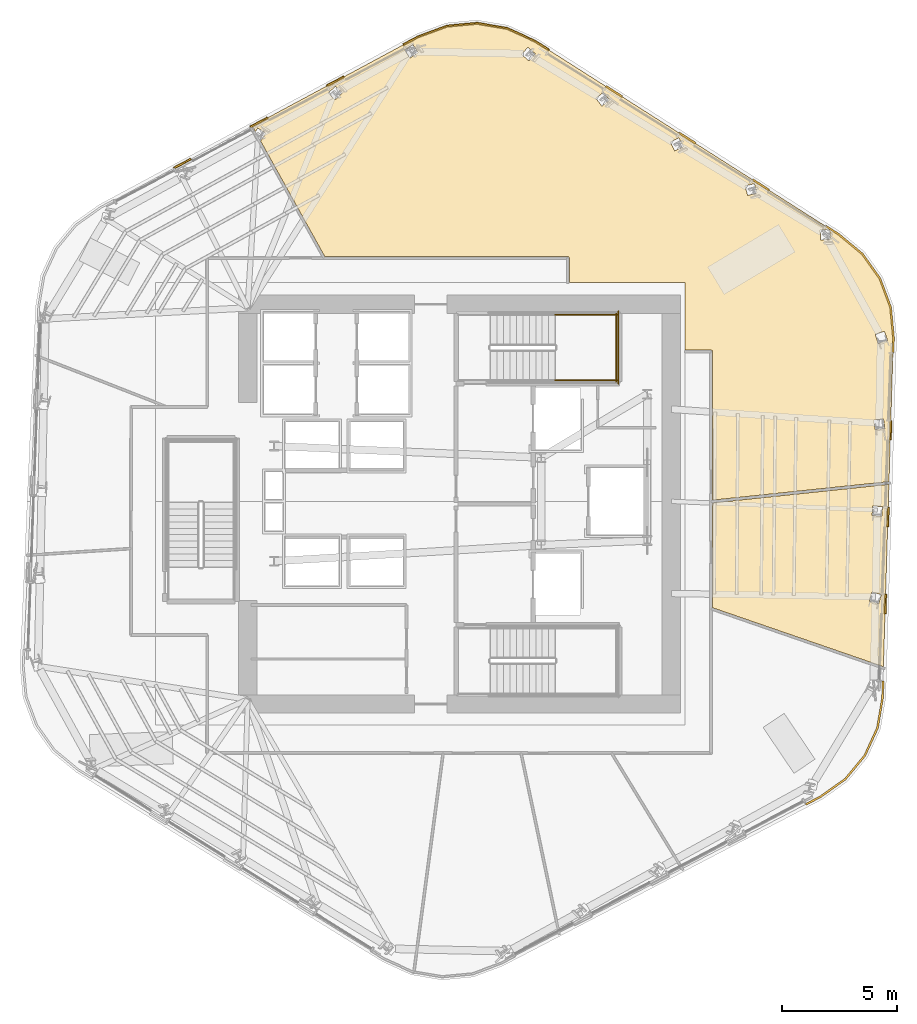
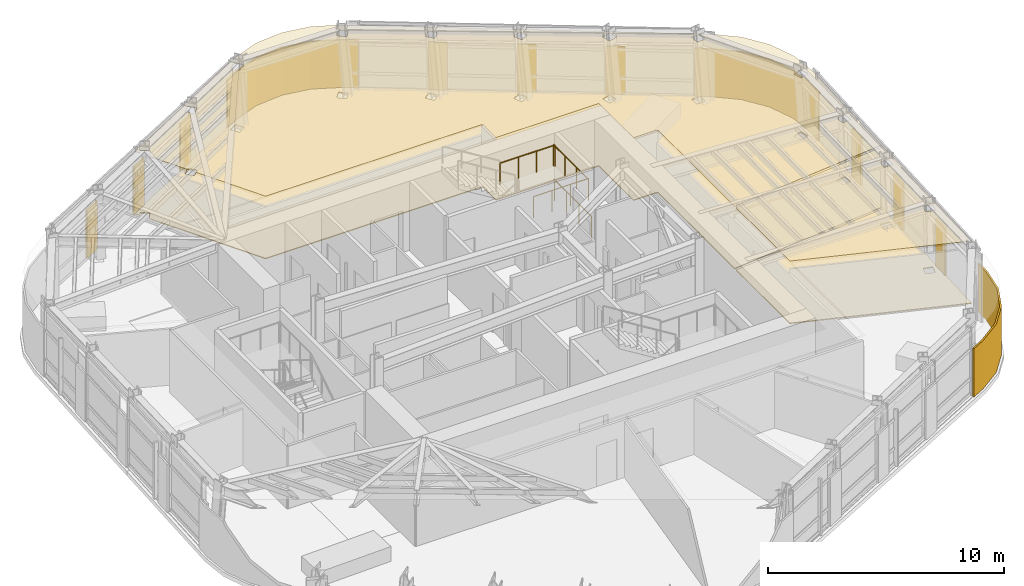
# One storey, part 13 of 14: 16 coverings, 4 railings.
"""IFC4 building model written with IfcOpenShell, lengths in metres."""

from ifc_helpers import new_model, si_unit, direction, frame, origin, origin_2d, place, context, subcontext, project, spatial, polyline, circle, outline, extrude, material, layer, layer_set, type_object, element, save


model = new_model("IFC4")

# Units and contexts
model_context = context("Model", 3, precision=1e-05, world=origin(), true_north=direction((0.0, 1.0)))
body_context = subcontext(model_context, "Body", "Model", "MODEL_VIEW")
ifc_project = project(units=[si_unit("LENGTHUNIT", "METRE"), si_unit("AREAUNIT", "SQUARE_METRE"), si_unit("VOLUMEUNIT", "CUBIC_METRE"), si_unit("PLANEANGLEUNIT", "RADIAN"), si_unit("MASSUNIT", "GRAM", prefix="KILO")], contexts=[model_context])

# Site, building, storey
site_placement = place(None, origin())
site = spatial("IfcSite", under=ifc_project, at=site_placement, CompositionType="ELEMENT")
building_placement = place(site_placement, origin())
building = spatial("IfcBuilding", under=site, at=building_placement, Name="Valkerne Bourse Tower", CompositionType="ELEMENT")
storey_placement = place(building_placement, frame((0.0, 0.0, 143.800048828125)))
storey = spatial("IfcBuildingStorey", under=building, at=storey_placement, Name="L36", CompositionType="ELEMENT", Elevation=143.800048828125)

# Coverings
ifc_material_1 = material(Name="Mineral Fiber Acoustic Ceiling Tile", Category="acoustic")
ifc_layer_1 = layer(ifc_material_1, 0.02490234375)
ifc_layer_set_1 = layer_set([ifc_layer_1], Name="Mineral Fiber Acoustic Ceiling Tile")
covering_type_1 = type_object("IfcCoveringType", Name="COV-CEIL-ACT", PredefinedType="CEILING", material=ifc_layer_set_1)
covering_1_placement = place(storey_placement, frame((0.0, 0.0, 3.22998046875)))
element("IfcCovering", 1, at=covering_1_placement, inside=storey, type_object=covering_type_1, Name="L36 Suspended Ceiling 07", PredefinedType="CEILING", context=body_context, shape_type="SweptSolid", body=[
    extrude(outline(polyline([(57.7890625, 26.933349609375), (65.44287109375, 27.73828125), (65.203857421875, 19.821533203125), (57.7890625, 22.379150390625), (57.7890625, 26.933349609375)]), holes=[polyline([(65.110595703125, 22.952392578125), (64.701416015625, 23.06591796875), (64.591064453125, 22.667724609375), (64.59033203125, 22.6650390625), (64.99951171875, 22.5517578125), (65.110107421875, 22.949951171875), (65.110595703125, 22.952392578125)]), polyline([(65.16357421875, 26.76953125), (65.16357421875, 26.772216796875), (64.739990234375, 26.800048828125), (64.712646484375, 26.3876953125), (64.712646484375, 26.385009765625), (65.13623046875, 26.357421875), (65.16357421875, 26.76953125)])]), origin(), (0.0, 0.0, 1.0), 0.02490234375),
])
covering_2_placement = place(storey_placement, frame((0.0, 0.0, 3.22998046875)))
element("IfcCovering", 2, at=covering_2_placement, inside=storey, type_object=covering_type_1, Name="L36 Suspended Ceiling 11", PredefinedType="CEILING", context=body_context, shape_type="SweptSolid", body=[
    extrude(outline(polyline([(47.56103515625, 47.753173828125), (48.862060546875, 47.532958984375), (50.070068359375, 46.97998046875), (63.26123046875, 38.5859375), (64.28564453125, 37.738525390625), (65.050048828125, 36.662841796875), (65.510009765625, 35.426025390625), (65.635009765625, 34.1025390625), (65.446533203125, 27.857421875), (57.7890625, 27.052001953125), (57.788330078125, 33.510009765625), (57.76611328125, 33.551513671875), (57.723388671875, 33.56884765625), (56.60009765625, 33.569091796875), (56.60009765625, 36.5), (51.569091796875, 36.5), (51.56884765625, 37.564697265625), (51.547119140625, 37.61083984375), (51.50439453125, 37.62890625), (40.94970703125, 37.62890625), (38.162841796875, 42.64453125), (38.386474609375, 42.98046875), (38.042236328125, 43.210693359375), (38.0400390625, 43.20947265625), (37.935791015625, 43.052978515625), (37.802001953125, 43.293701171875), (45.001953125, 47.165771484375), (46.247314453125, 47.62890625), (47.56103515625, 47.753173828125)]), holes=[polyline([(53.30712890625, 44.418212890625), (53.047119140625, 44.75244140625), (53.04443359375, 44.75341796875), (52.718505859375, 44.498291015625), (52.978759765625, 44.163818359375), (52.981201171875, 44.1630859375), (53.30712890625, 44.418212890625)]), polyline([(41.70166015625, 44.72900390625), (41.41162109375, 45.024658203125), (41.4091796875, 45.02392578125), (41.107421875, 44.7265625), (41.397216796875, 44.430908203125), (41.39990234375, 44.431640625), (41.70166015625, 44.72900390625)]), polyline([(49.77001953125, 46.71435546875), (49.76708984375, 46.71484375), (49.4951171875, 46.40283203125), (49.8134765625, 46.12353515625), (49.81640625, 46.123046875), (50.08837890625, 46.43505859375), (49.77001953125, 46.71435546875)]), polyline([(45.005126953125, 46.482421875), (44.77587890625, 46.8271484375), (44.773193359375, 46.826904296875), (44.4208984375, 46.591552734375), (44.650146484375, 46.24658203125), (44.653076171875, 46.246826171875), (45.005126953125, 46.482421875)]), polyline([(65.264892578125, 30.172119140625), (65.20751953125, 30.581298828125), (65.206787109375, 30.583984375), (64.786376953125, 30.52490234375), (64.84375, 30.11572265625), (64.84423828125, 30.11328125), (65.264892578125, 30.172119140625)]), polyline([(65.381103515625, 33.990234375), (65.248046875, 34.381103515625), (65.2470703125, 34.3837890625), (64.84521484375, 34.246826171875), (64.978271484375, 33.85595703125), (64.979248046875, 33.853271484375), (65.381103515625, 33.990234375)]), polyline([(62.896728515625, 38.376953125), (62.8701171875, 38.799560546875), (62.868408203125, 38.802001953125), (62.455322265625, 38.774658203125), (62.48193359375, 38.351806640625), (62.483642578125, 38.349609375), (62.896728515625, 38.376953125)]), polyline([(59.603515625, 40.79296875), (59.6015625, 40.794921875), (59.200927734375, 40.690673828125), (59.306396484375, 40.2802734375), (59.308349609375, 40.2783203125), (59.708984375, 40.382568359375), (59.603515625, 40.79296875)]), polyline([(56.513916015625, 42.398193359375), (56.3271484375, 42.778564453125), (56.324951171875, 42.780029296875), (55.953857421875, 42.596435546875), (56.140625, 42.21630859375), (56.142822265625, 42.21484375), (56.513916015625, 42.398193359375)])]), origin(), (0.0, 0.0, 1.0), 0.02490234375),
])
ifc_material_2 = material(Name="Bronze Anodised Aluminium AA 6063-T6", Category="aluminium")
ifc_layer_2 = layer(ifc_material_2, 0.06005859375)
ifc_layer_set_2 = layer_set([ifc_layer_2], Name="Bronze Anodised Aluminium AA 6063-T6")
covering_type_2 = type_object("IfcCoveringType", Name="COV-CRN-ALUM", PredefinedType="CLADDING", material=ifc_layer_set_2)
covering_3_placement = place(storey_placement, origin())
element("IfcCovering", 3, at=covering_3_placement, inside=storey, type_object=covering_type_2, Name="L36 Wind-Shaped Corner Aluminium Cladding 01", PredefinedType="CLADDING", context=body_context, shape_type="SweptSolid", body=[
    extrude(outline(polyline([(64.98388671875, 17.151123046875), (64.4296875, 15.94091796875), (63.581298828125, 14.915283203125), (62.4912109375, 14.140380859375), (61.845703125, 13.803955078125), (61.80810546875, 13.874755859375), (62.44921875, 14.208740234375), (63.5263671875, 14.974365234375), (64.361328125, 15.98388671875), (64.90673828125, 17.1748046875), (65.127197265625, 18.477783203125), (65.14892578125, 19.200439453125), (65.22900390625, 19.197509765625), (65.20703125, 18.469970703125), (64.98388671875, 17.151123046875)])), origin(), (0.0, 0.0, 1.0), 2.5),
])
covering_4_placement = place(storey_placement, origin())
element("IfcCovering", 4, at=covering_4_placement, inside=storey, type_object=covering_type_2, Name="L36 Wind-Shaped Corner Aluminium Cladding 14", PredefinedType="CLADDING", context=body_context, shape_type="SweptSolid", body=[
    extrude(outline(polyline([(35.11865234375, 41.90087890625), (35.15625, 41.830078125), (34.416259765625, 41.43212890625), (34.37890625, 41.5029296875), (35.11865234375, 41.90087890625)])), origin(), (0.0, 0.0, 1.0), 2.5),
])
covering_5_placement = place(storey_placement, origin())
element("IfcCovering", 5, at=covering_5_placement, inside=storey, type_object=covering_type_2, Name="L36 Wind-Shaped Corner Aluminium Cladding 15", PredefinedType="CLADDING", context=body_context, shape_type="SweptSolid", body=[
    extrude(outline(polyline([(38.43994140625, 43.68701171875), (38.477294921875, 43.6162109375), (37.737548828125, 43.21826171875), (37.7001953125, 43.2890625), (38.43994140625, 43.68701171875)])), origin(), (0.0, 0.0, 1.0), 2.5),
])
covering_6_placement = place(storey_placement, origin())
element("IfcCovering", 6, at=covering_6_placement, inside=storey, type_object=covering_type_2, Name="L36 Wind-Shaped Corner Aluminium Cladding 16", PredefinedType="CLADDING", context=body_context, shape_type="SweptSolid", body=[
    extrude(outline(polyline([(41.76123046875, 45.472900390625), (41.798583984375, 45.40234375), (41.058837890625, 45.00439453125), (41.021484375, 45.0751953125), (41.76123046875, 45.472900390625)])), origin(), (0.0, 0.0, 1.0), 2.5),
])
covering_7_placement = place(storey_placement, origin())
element("IfcCovering", 7, at=covering_7_placement, inside=storey, type_object=covering_type_2, Name="L36 Wind-Shaped Corner Aluminium Cladding 17", PredefinedType="CLADDING", context=body_context, shape_type="SweptSolid", body=[
    extrude(outline(polyline([(44.98388671875, 47.2060546875), (46.2373046875, 47.672119140625), (47.5625, 47.79736328125), (48.875, 47.575439453125), (50.091064453125, 47.0185546875), (50.705322265625, 46.627685546875), (50.662841796875, 46.56005859375), (50.052734375, 46.9482421875), (48.851318359375, 47.498291015625), (47.5595703125, 47.716796875), (46.25537109375, 47.593505859375), (45.016845703125, 47.1328125), (44.380126953125, 46.79052734375), (44.3427734375, 46.861083984375), (44.98388671875, 47.2060546875)])), origin(), (0.0, 0.0, 1.0), 2.5),
])
covering_8_placement = place(storey_placement, origin())
element("IfcCovering", 8, at=covering_8_placement, inside=storey, type_object=covering_type_2, Name="L36 Wind-Shaped Corner Aluminium Cladding 18", PredefinedType="CLADDING", context=body_context, shape_type="SweptSolid", body=[
    extrude(outline(polyline([(53.886962890625, 44.603271484375), (53.844482421875, 44.535400390625), (53.135498046875, 44.986572265625), (53.177978515625, 45.05419921875), (53.886962890625, 44.603271484375)])), origin(), (0.0, 0.0, 1.0), 2.5),
])
covering_9_placement = place(storey_placement, origin())
element("IfcCovering", 9, at=covering_9_placement, inside=storey, type_object=covering_type_2, Name="L36 Wind-Shaped Corner Aluminium Cladding 19", PredefinedType="CLADDING", context=body_context, shape_type="SweptSolid", body=[
    extrude(outline(polyline([(57.068359375, 42.578857421875), (57.02587890625, 42.510986328125), (56.317138671875, 42.9619140625), (56.359619140625, 43.02978515625), (57.068359375, 42.578857421875)])), origin(), (0.0, 0.0, 1.0), 2.5),
])
covering_10_placement = place(storey_placement, origin())
element("IfcCovering", 10, at=covering_10_placement, inside=storey, type_object=covering_type_2, Name="L36 Wind-Shaped Corner Aluminium Cladding 20", PredefinedType="CLADDING", context=body_context, shape_type="SweptSolid", body=[
    extrude(outline(polyline([(60.25, 40.55419921875), (60.20751953125, 40.486572265625), (59.498779296875, 40.9375), (59.541259765625, 41.00537109375), (60.25, 40.55419921875)])), origin(), (0.0, 0.0, 1.0), 2.5),
])
covering_11_placement = place(storey_placement, origin())
element("IfcCovering", 11, at=covering_11_placement, inside=storey, type_object=covering_type_2, Name="L36 Wind-Shaped Corner Aluminium Cladding 21", PredefinedType="CLADDING", context=body_context, shape_type="SweptSolid", body=[
    extrude(outline(polyline([(63.287109375, 38.62158203125), (64.318115234375, 37.768798828125), (65.08935546875, 36.68359375), (65.55322265625, 35.43603515625), (65.67919921875, 34.10400390625), (65.658935546875, 33.435302734375), (65.5791015625, 33.438232421875), (65.59912109375, 34.101318359375), (65.474609375, 35.41796875), (65.01806640625, 36.64599609375), (64.259033203125, 37.7138671875), (63.239990234375, 38.556884765625), (62.680419921875, 38.9130859375), (62.722900390625, 38.980712890625), (63.287109375, 38.62158203125)])), origin(), (0.0, 0.0, 1.0), 2.5),
])
covering_12_placement = place(storey_placement, origin())
element("IfcCovering", 12, at=covering_12_placement, inside=storey, type_object=covering_type_2, Name="L36 Wind-Shaped Corner Aluminium Cladding 22", PredefinedType="CLADDING", context=body_context, shape_type="SweptSolid", body=[
    extrude(outline(polyline([(65.545166015625, 29.665771484375), (65.465087890625, 29.668701171875), (65.490478515625, 30.508544921875), (65.570556640625, 30.505615234375), (65.545166015625, 29.665771484375)])), origin(), (0.0, 0.0, 1.0), 2.5),
])
covering_13_placement = place(storey_placement, origin())
element("IfcCovering", 13, at=covering_13_placement, inside=storey, type_object=covering_type_2, Name="L36 Wind-Shaped Corner Aluminium Cladding 23", PredefinedType="CLADDING", context=body_context, shape_type="SweptSolid", body=[
    extrude(outline(polyline([(65.431396484375, 25.896484375), (65.351318359375, 25.8994140625), (65.376708984375, 26.7392578125), (65.45654296875, 26.736328125), (65.431396484375, 25.896484375)])), origin(), (0.0, 0.0, 1.0), 2.5),
])
covering_14_placement = place(storey_placement, origin())
element("IfcCovering", 14, at=covering_14_placement, inside=storey, type_object=covering_type_2, Name="L36 Wind-Shaped Corner Aluminium Cladding 24", PredefinedType="CLADDING", context=body_context, shape_type="SweptSolid", body=[
    extrude(outline(polyline([(65.3173828125, 22.127197265625), (65.237548828125, 22.130126953125), (65.2626953125, 22.9697265625), (65.3427734375, 22.966796875), (65.3173828125, 22.127197265625)])), origin(), (0.0, 0.0, 1.0), 2.5),
])
ifc_material_3 = material(Name="Galvanised Painted Steel", Category="steel")
ifc_layer_3 = layer(ifc_material_3, 0.044921875)
ifc_layer_set_3 = layer_set([ifc_layer_3], Name="Galvanised Painted Steel")
covering_type_3 = type_object("IfcCoveringType", Name="COV-FLR-RAF", PredefinedType="FLOORING", material=ifc_layer_set_3)
covering_15_placement = place(storey_placement, origin())
element("IfcCovering", 15, at=covering_15_placement, inside=storey, type_object=covering_type_3, Name="L36 Floor Finish 07", PredefinedType="FLOORING", context=body_context, shape_type="SweptSolid", body=[
    extrude(outline(polyline([(57.7890625, 26.933349609375), (65.44287109375, 27.73828125), (65.203857421875, 19.821533203125), (57.7890625, 22.379150390625), (57.7890625, 26.933349609375)]), holes=[polyline([(65.110595703125, 22.952392578125), (64.701416015625, 23.06591796875), (64.591064453125, 22.667724609375), (64.59033203125, 22.6650390625), (64.99951171875, 22.5517578125), (65.110107421875, 22.949951171875), (65.110595703125, 22.952392578125)]), polyline([(65.16357421875, 26.76953125), (65.16357421875, 26.772216796875), (64.739990234375, 26.800048828125), (64.712646484375, 26.3876953125), (64.712646484375, 26.385009765625), (65.13623046875, 26.357421875), (65.16357421875, 26.76953125)])]), origin(), (0.0, 0.0, 1.0), 0.044921875),
])
covering_16_placement = place(storey_placement, origin())
element("IfcCovering", 16, at=covering_16_placement, inside=storey, type_object=covering_type_3, Name="L36 Floor Finish 11", PredefinedType="FLOORING", context=body_context, shape_type="SweptSolid", body=[
    extrude(outline(polyline([(47.56103515625, 47.753173828125), (48.862060546875, 47.532958984375), (50.070068359375, 46.97998046875), (63.26123046875, 38.5859375), (64.28564453125, 37.738525390625), (65.050048828125, 36.662841796875), (65.510009765625, 35.426025390625), (65.635009765625, 34.1025390625), (65.446533203125, 27.857421875), (57.7890625, 27.052001953125), (57.788330078125, 33.510009765625), (57.76611328125, 33.551513671875), (57.723388671875, 33.56884765625), (56.60009765625, 33.569091796875), (56.60009765625, 36.5), (51.569091796875, 36.5), (51.56884765625, 37.564697265625), (51.547119140625, 37.61083984375), (51.50439453125, 37.62890625), (40.94970703125, 37.62890625), (38.162841796875, 42.64453125), (38.386474609375, 42.98046875), (38.042236328125, 43.210693359375), (38.0400390625, 43.20947265625), (37.935791015625, 43.052978515625), (37.802001953125, 43.293701171875), (45.001953125, 47.165771484375), (46.247314453125, 47.62890625), (47.56103515625, 47.753173828125)]), holes=[polyline([(53.30712890625, 44.418212890625), (53.047119140625, 44.75244140625), (53.04443359375, 44.75341796875), (52.718505859375, 44.498291015625), (52.978759765625, 44.163818359375), (52.981201171875, 44.1630859375), (53.30712890625, 44.418212890625)]), polyline([(41.70166015625, 44.72900390625), (41.41162109375, 45.024658203125), (41.4091796875, 45.02392578125), (41.107421875, 44.7265625), (41.397216796875, 44.430908203125), (41.39990234375, 44.431640625), (41.70166015625, 44.72900390625)]), polyline([(49.77001953125, 46.71435546875), (49.76708984375, 46.71484375), (49.4951171875, 46.40283203125), (49.8134765625, 46.12353515625), (49.81640625, 46.123046875), (50.08837890625, 46.43505859375), (49.77001953125, 46.71435546875)]), polyline([(45.005126953125, 46.482421875), (44.77587890625, 46.8271484375), (44.773193359375, 46.826904296875), (44.4208984375, 46.591552734375), (44.650146484375, 46.24658203125), (44.653076171875, 46.246826171875), (45.005126953125, 46.482421875)]), polyline([(65.264892578125, 30.172119140625), (65.20751953125, 30.581298828125), (65.206787109375, 30.583984375), (64.786376953125, 30.52490234375), (64.84375, 30.11572265625), (64.84423828125, 30.11328125), (65.264892578125, 30.172119140625)]), polyline([(65.381103515625, 33.990234375), (65.248046875, 34.381103515625), (65.2470703125, 34.3837890625), (64.84521484375, 34.246826171875), (64.978271484375, 33.85595703125), (64.979248046875, 33.853271484375), (65.381103515625, 33.990234375)]), polyline([(62.896728515625, 38.376953125), (62.8701171875, 38.799560546875), (62.868408203125, 38.802001953125), (62.455322265625, 38.774658203125), (62.48193359375, 38.351806640625), (62.483642578125, 38.349609375), (62.896728515625, 38.376953125)]), polyline([(59.603515625, 40.79296875), (59.6015625, 40.794921875), (59.200927734375, 40.690673828125), (59.306396484375, 40.2802734375), (59.308349609375, 40.2783203125), (59.708984375, 40.382568359375), (59.603515625, 40.79296875)]), polyline([(56.513916015625, 42.398193359375), (56.3271484375, 42.778564453125), (56.324951171875, 42.780029296875), (55.953857421875, 42.596435546875), (56.140625, 42.21630859375), (56.142822265625, 42.21484375), (56.513916015625, 42.398193359375)])]), origin(), (0.0, 0.0, 1.0), 0.044921875),
])

# Railings
railing_type = type_object("IfcRailingType", Name="RLG-ST-GUARD-1120", PredefinedType="GUARDRAIL", material=ifc_material_3)
for number, where, name in (
    (17, (50.949951171875, 32.25, 1.89990234375), "L36 ST-2 stair guard 3"),
    (18, (50.949951171875, 35.10009765625, 1.89990234375), "L36 ST-2 stair guard 4"),
):
    element("IfcRailing", number, at=place(storey_placement, frame(where)), inside=storey, type_object=railing_type, Name=name, PredefinedType="GUARDRAIL", context=body_context, shape_type="SweptSolid", body=[
        extrude(circle(Radius=0.02392578125, at=origin_2d()), frame((0.0, 0.0, 1.09619140625), z_axis=(1.0, 0.0, 0.0), x_axis=(0.0, 1.0, 0.0)), (0.0, 0.0, 1.0), 2.699951171875),
        extrude(circle(Radius=0.02099609375, at=origin_2d()), origin(), (0.0, 0.0, 1.0), 1.072021484375),
        extrude(circle(Radius=0.02099609375, at=origin_2d()), frame((0.89990234375, 0.0, 0.0)), (0.0, 0.0, 1.0), 1.072021484375),
        extrude(circle(Radius=0.02099609375, at=origin_2d()), frame((1.800048828125, 0.0, 0.0)), (0.0, 0.0, 1.0), 1.072021484375),
        extrude(circle(Radius=0.02099609375, at=origin_2d()), frame((2.699951171875, 0.0, 0.0)), (0.0, 0.0, 1.0), 1.072021484375),
    ])
railing_1_placement = place(storey_placement, frame((53.60009765625, 32.199951171875, 1.89990234375)))
element("IfcRailing", 19, at=railing_1_placement, inside=storey, type_object=railing_type, Name="L36 ST-2 stair guard 5", PredefinedType="GUARDRAIL", context=body_context, shape_type="SweptSolid", body=[
    extrude(circle(Radius=0.02392578125, at=origin_2d()), frame((0.0, 0.0, 1.09619140625), z_axis=(0.0, 1.0, 0.0), x_axis=(-1.0, 0.0, 0.0)), (0.0, 0.0, 1.0), 2.949951171875),
    extrude(circle(Radius=0.02099609375, at=origin_2d()), origin(), (0.0, 0.0, 1.0), 1.072021484375),
    extrude(circle(Radius=0.02099609375, at=origin_2d()), frame((0.0, 0.9833984375, 0.0)), (0.0, 0.0, 1.0), 1.072021484375),
    extrude(circle(Radius=0.02099609375, at=origin_2d()), frame((0.0, 1.966552734375, 0.0)), (0.0, 0.0, 1.0), 1.072021484375),
    extrude(circle(Radius=0.02099609375, at=origin_2d()), frame((0.0, 2.949951171875, 0.0)), (0.0, 0.0, 1.0), 1.072021484375),
])
railing_2_placement = place(storey_placement, frame((53.699951171875, 32.10009765625, 0.0)))
element("IfcRailing", 20, at=railing_2_placement, inside=storey, type_object=railing_type, Name="L36 ST-2 stair guard 12", PredefinedType="GUARDRAIL", context=body_context, shape_type="SweptSolid", body=[
    extrude(circle(Radius=0.02392578125, at=origin_2d()), frame((0.0, 0.0, 1.09619140625), z_axis=(0.0, 1.0, 0.0), x_axis=(-1.0, 0.0, 0.0)), (0.0, 0.0, 1.0), 3.14990234375),
    extrude(circle(Radius=0.02099609375, at=origin_2d()), origin(), (0.0, 0.0, 1.0), 1.072021484375),
    extrude(circle(Radius=0.02099609375, at=origin_2d()), frame((0.0, 1.050048828125, 0.0)), (0.0, 0.0, 1.0), 1.072021484375),
    extrude(circle(Radius=0.02099609375, at=origin_2d()), frame((0.0, 2.099853515625, 0.0)), (0.0, 0.0, 1.0), 1.072021484375),
    extrude(circle(Radius=0.02099609375, at=origin_2d()), frame((0.0, 3.14990234375, 0.0)), (0.0, 0.0, 1.0), 1.072021484375),
])

save(model, "model.ifc")
